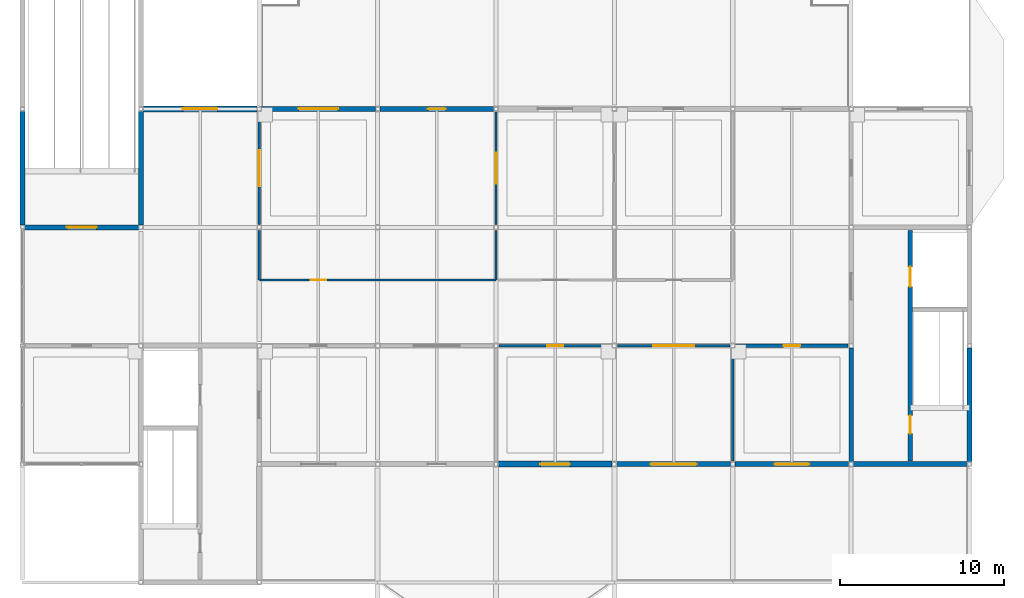
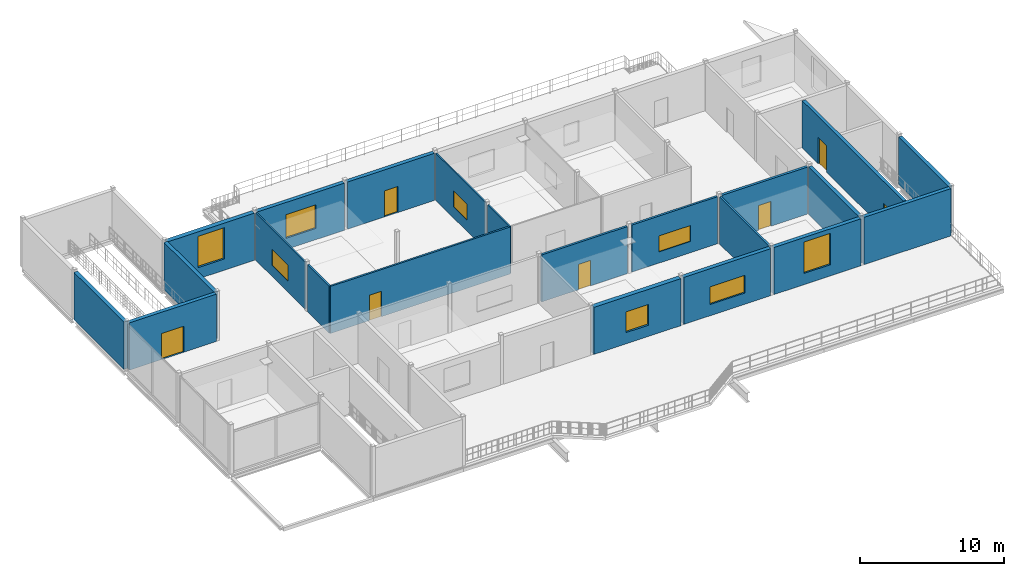
# One storey, part 12 of 18: 22 walls, 8 windows, 7 doors, 15 openings.
"""IFC4 building model written with IfcOpenShell, lengths in metres."""

from ifc_helpers import new_model, si_unit, direction, frame, frame_2d, origin, place, context, subcontext, project, spatial, rectangle, extrude, material, layer, layer_set, type_object, element, fill, save


model = new_model("IFC4")

# Units and contexts
model_context = context("Model", 3, precision=1e-05, world=origin(), true_north=direction((0.0, 1.0)))
body_context = subcontext(model_context, "Body", "Model", "MODEL_VIEW")
ifc_project = project(units=[si_unit("LENGTHUNIT", "METRE"), si_unit("AREAUNIT", "SQUARE_METRE"), si_unit("VOLUMEUNIT", "CUBIC_METRE"), si_unit("PLANEANGLEUNIT", "RADIAN"), si_unit("MASSUNIT", "GRAM", prefix="KILO")], contexts=[model_context])

# Site, building, storey
site_placement = place(None, origin())
site = spatial("IfcSite", under=ifc_project, at=site_placement, CompositionType="ELEMENT")
building_placement = place(site_placement, origin())
building = spatial("IfcBuilding", under=site, at=building_placement, Name="Vesperath Aquatics Centre", CompositionType="ELEMENT")
storey_placement = place(building_placement, frame((0.0, 0.0, 23.39990234375)))
storey = spatial("IfcBuildingStorey", under=building, at=storey_placement, Name="L05", CompositionType="ELEMENT", Elevation=23.39990234375)

# Wall, opening, window
ifc_material_1 = material(Name="Glazed majolica and brick insulated cavity wall", Category="masonry")
ifc_layer_1 = layer(ifc_material_1, 0.360107421875)
ifc_layer_set_1 = layer_set([ifc_layer_1], Name="Glazed majolica and brick insulated cavity wall")
wall_type_1 = type_object("IfcWallType", Name="WL-EW03", PredefinedType="SOLIDWALL", material=ifc_layer_set_1)
wall_1_placement = place(storey_placement, frame((144.1298828125, 7.199951171875, 0.0), z_axis=(0.0, 0.0, 1.0), x_axis=(1.0, 0.0, 0.0)))
wall_1 = element("IfcWall", 1, at=wall_1_placement, inside=storey, type_object=wall_type_1, Name="Exterior Wall EW03 L05_S_20_01", PredefinedType="SOLIDWALL", context=body_context, shape_type="SweptSolid", body=[
    extrude(rectangle(XDim=6.940185546875, YDim=0.360107421875, at=frame_2d((3.47021484375, 0.0))), origin(), (0.0, 0.0, 1.0), 3.97998046875),
])
opening_1_placement = place(wall_1_placement, frame((2.570068359375, 0.0, 0.949951171875)))
opening_1 = element("IfcOpeningElement", 2, at=opening_1_placement, cuts=wall_1, Name="Opening W12", PredefinedType="OPENING", context=body_context, shape_type="SweptSolid", body=[
    extrude(rectangle(XDim=1.800048828125, YDim=1.75, at=frame_2d((0.89990234375, 0.875))), frame((0.0, 0.19482421875, 0.0), z_axis=(0.0, -1.0, 0.0), x_axis=(1.0, 0.0, 0.0)), (0.0, 0.0, 1.0), 0.389892578125),
])
ifc_material_2 = material(Name="Thermally broken aluminium triple-glazed window", Category="aluminium")
window_type_1 = type_object("IfcWindowType", Name="WN-W12", PartitioningType="SINGLE_PANEL", PredefinedType="WINDOW", material=ifc_material_2)
window_1_placement = place(opening_1_placement, origin())
window_1 = element("IfcWindow", 3, at=window_1_placement, inside=storey, type_object=window_type_1, Name="Deep-Reveal Casement Window W12 L05_S_20_01", OverallHeight=1.75, OverallWidth=1.800048828125, PartitioningType="SINGLE_PANEL", PredefinedType="WINDOW", context=body_context, shape_type="SweptSolid", body=[
    extrude(rectangle(XDim=1.800048828125, YDim=1.75, at=frame_2d((0.89990234375, 0.875))), frame((0.0, 0.030029296875, 0.0), z_axis=(0.0, -1.0, 0.0), x_axis=(1.0, 0.0, 0.0)), (0.0, 0.0, 1.0), 0.06005859375),
])
fill(opening_1, window_1)

wall_2_placement = place(storey_placement, frame((122.530029296875, 28.800048828125, 0.0), z_axis=(0.0, 0.0, 1.0), x_axis=(1.0, 0.0, 0.0)))
wall_2 = element("IfcWall", 4, at=wall_2_placement, inside=storey, type_object=wall_type_1, Name="Exterior Wall EW03 L05_N_17_04", PredefinedType="SOLIDWALL", context=body_context, shape_type="SweptSolid", body=[
    extrude(rectangle(XDim=6.93994140625, YDim=0.360107421875, at=frame_2d((3.469970703125, 0.0))), origin(), (0.0, 0.0, 1.0), 3.97998046875),
])
opening_2_placement = place(wall_2_placement, frame((2.419921875, 0.0, 0.949951171875)))
opening_2 = element("IfcOpeningElement", 5, at=opening_2_placement, cuts=wall_2, Name="Opening W02", PredefinedType="OPENING", context=body_context, shape_type="SweptSolid", body=[
    extrude(rectangle(XDim=2.10009765625, YDim=2.64990234375, at=frame_2d((1.050048828125, 1.324951171875))), frame((0.0, 0.19482421875, 0.0), z_axis=(0.0, -1.0, 0.0), x_axis=(1.0, 0.0, 0.0)), (0.0, 0.0, 1.0), 0.389892578125),
])
window_type_2 = type_object("IfcWindowType", Name="WN-W02", PartitioningType="SINGLE_PANEL", PredefinedType="WINDOW", material=ifc_material_2)
window_2_placement = place(opening_2_placement, origin())
window_2 = element("IfcWindow", 6, at=window_2_placement, inside=storey, type_object=window_type_2, Name="Deep-Reveal Casement Window W02 L05_N_17_04", OverallHeight=2.64990234375, OverallWidth=2.10009765625, PartitioningType="SINGLE_PANEL", PredefinedType="WINDOW", context=body_context, shape_type="SweptSolid", body=[
    extrude(rectangle(XDim=2.10009765625, YDim=2.64990234375, at=frame_2d((1.050048828125, 1.324951171875))), frame((0.0, 0.030029296875, 0.0), z_axis=(0.0, -1.0, 0.0), x_axis=(1.0, 0.0, 0.0)), (0.0, 0.0, 1.0), 0.06005859375),
])
fill(opening_2, window_2)

ifc_material_3 = material(Name="Terrace pavilion insulated masonry wall", Category="masonry")
ifc_layer_2 = layer(ifc_material_3, 0.31005859375)
ifc_layer_set_2 = layer_set([ifc_layer_2], Name="Terrace pavilion insulated masonry wall")
wall_type_2 = type_object("IfcWallType", Name="WL-EW05", PredefinedType="SOLIDWALL", material=ifc_layer_set_2)
wall_3_placement = place(storey_placement, frame((151.330078125, 7.199951171875, 0.0), z_axis=(0.0, 0.0, 1.0), x_axis=(1.0, 0.0, 0.0)))
wall_3 = element("IfcWall", 7, at=wall_3_placement, inside=storey, type_object=wall_type_2, Name="Exterior Wall EW05 L05_S_21_01", PredefinedType="SOLIDWALL", context=body_context, shape_type="SweptSolid", body=[
    extrude(rectangle(XDim=6.93994140625, YDim=0.31005859375, at=frame_2d((3.469970703125, 0.0))), origin(), (0.0, 0.0, 1.0), 3.97998046875),
])
opening_3_placement = place(wall_3_placement, frame((2.070068359375, 0.0, 0.949951171875)))
opening_3 = element("IfcOpeningElement", 8, at=opening_3_placement, cuts=wall_3, Name="Opening W15", PredefinedType="OPENING", context=body_context, shape_type="SweptSolid", body=[
    extrude(rectangle(XDim=2.800048828125, YDim=1.5, at=frame_2d((1.39990234375, 0.75))), frame((0.0, 0.169921875, 0.0), z_axis=(0.0, -1.0, 0.0), x_axis=(1.0, 0.0, 0.0)), (0.0, 0.0, 1.0), 0.33984375),
])
window_type_3 = type_object("IfcWindowType", Name="WN-W15", PartitioningType="SINGLE_PANEL", PredefinedType="WINDOW", material=ifc_material_2)
window_3_placement = place(opening_3_placement, origin())
window_3 = element("IfcWindow", 9, at=window_3_placement, inside=storey, type_object=window_type_3, Name="Deep-Reveal Casement Window W15 L05_S_21_01", OverallHeight=1.5, OverallWidth=2.800048828125, PartitioningType="SINGLE_PANEL", PredefinedType="WINDOW", context=body_context, shape_type="SweptSolid", body=[
    extrude(rectangle(XDim=2.800048828125, YDim=1.5, at=frame_2d((1.39990234375, 0.75))), frame((0.0, 0.030029296875, 0.0), z_axis=(0.0, -1.0, 0.0), x_axis=(1.0, 0.0, 0.0)), (0.0, 0.0, 1.0), 0.06005859375),
])
fill(opening_3, window_3)

wall_4_placement = place(storey_placement, frame((158.530029296875, 7.199951171875, 0.0), z_axis=(0.0, 0.0, 1.0), x_axis=(1.0, 0.0, 0.0)))
wall_4 = element("IfcWall", 10, at=wall_4_placement, inside=storey, type_object=wall_type_2, Name="Exterior Wall EW05 L05_S_22_01", PredefinedType="SOLIDWALL", context=body_context, shape_type="SweptSolid", body=[
    extrude(rectangle(XDim=6.93994140625, YDim=0.31005859375, at=frame_2d((3.469970703125, 0.0))), origin(), (0.0, 0.0, 1.0), 3.97998046875),
])
opening_4_placement = place(wall_4_placement, frame((2.419921875, 0.0, 0.949951171875)))
opening_4 = element("IfcOpeningElement", 11, at=opening_4_placement, cuts=wall_4, Name="Opening W02", PredefinedType="OPENING", context=body_context, shape_type="SweptSolid", body=[
    extrude(rectangle(XDim=2.10009765625, YDim=2.64990234375, at=frame_2d((1.050048828125, 1.324951171875))), frame((0.0, 0.169921875, 0.0), z_axis=(0.0, -1.0, 0.0), x_axis=(1.0, 0.0, 0.0)), (0.0, 0.0, 1.0), 0.33984375),
])
window_4_placement = place(opening_4_placement, origin())
window_4 = element("IfcWindow", 12, at=window_4_placement, inside=storey, type_object=window_type_2, Name="Deep-Reveal Casement Window W02 L05_S_22_01", OverallHeight=2.64990234375, OverallWidth=2.10009765625, PartitioningType="SINGLE_PANEL", PredefinedType="WINDOW", context=body_context, shape_type="SweptSolid", body=[
    extrude(rectangle(XDim=2.10009765625, YDim=2.64990234375, at=frame_2d((1.050048828125, 1.324951171875))), frame((0.0, 0.030029296875, 0.0), z_axis=(0.0, -1.0, 0.0), x_axis=(1.0, 0.0, 0.0)), (0.0, 0.0, 1.0), 0.06005859375),
])
fill(opening_4, window_4)

wall_5_placement = place(storey_placement, frame((129.72998046875, 28.800048828125, 0.0), z_axis=(0.0, 0.0, 1.0), x_axis=(1.0, 0.0, 0.0)))
wall_5 = element("IfcWall", 13, at=wall_5_placement, inside=storey, type_object=wall_type_2, Name="Exterior Wall EW05 L05_N_18_04", PredefinedType="SOLIDWALL", context=body_context, shape_type="SweptSolid", body=[
    extrude(rectangle(XDim=6.93994140625, YDim=0.31005859375, at=frame_2d((3.469970703125, 0.0))), origin(), (0.0, 0.0, 1.0), 3.97998046875),
])
opening_5_placement = place(wall_5_placement, frame((2.27001953125, 0.0, 0.949951171875)))
opening_5 = element("IfcOpeningElement", 14, at=opening_5_placement, cuts=wall_5, Name="Opening W05", PredefinedType="OPENING", context=body_context, shape_type="SweptSolid", body=[
    extrude(rectangle(XDim=2.39990234375, YDim=2.0, at=frame_2d((1.199951171875, 1.0))), frame((0.0, 0.169921875, 0.0), z_axis=(0.0, -1.0, 0.0), x_axis=(1.0, 0.0, 0.0)), (0.0, 0.0, 1.0), 0.33984375),
])
window_type_4 = type_object("IfcWindowType", Name="WN-W05", PartitioningType="SINGLE_PANEL", PredefinedType="WINDOW", material=ifc_material_2)
window_5_placement = place(opening_5_placement, origin())
window_5 = element("IfcWindow", 15, at=window_5_placement, inside=storey, type_object=window_type_4, Name="Deep-Reveal Casement Window W05 L05_N_18_04", OverallHeight=2.0, OverallWidth=2.39990234375, PartitioningType="SINGLE_PANEL", PredefinedType="WINDOW", context=body_context, shape_type="SweptSolid", body=[
    extrude(rectangle(XDim=2.39990234375, YDim=2.0, at=frame_2d((1.199951171875, 1.0))), frame((0.0, 0.030029296875, 0.0), z_axis=(0.0, -1.0, 0.0), x_axis=(1.0, 0.0, 0.0)), (0.0, 0.0, 1.0), 0.06005859375),
])
fill(opening_5, window_5)

# Wall, opening, door
wall_6_placement = place(storey_placement, frame((136.929931640625, 28.800048828125, 0.0), z_axis=(0.0, 0.0, 1.0), x_axis=(1.0, 0.0, 0.0)))
wall_6 = element("IfcWall", 16, at=wall_6_placement, inside=storey, type_object=wall_type_2, Name="Exterior Wall EW05 L05_N_19_04", PredefinedType="SOLIDWALL", context=body_context, shape_type="SweptSolid", body=[
    extrude(rectangle(XDim=6.940185546875, YDim=0.31005859375, at=frame_2d((3.47021484375, 0.0))), origin(), (0.0, 0.0, 1.0), 3.97998046875),
])
opening_6_placement = place(wall_6_placement, frame((2.919921875, 0.0, 0.0)))
opening_6 = element("IfcOpeningElement", 17, at=opening_6_placement, cuts=wall_6, Name="Opening TRD2", PredefinedType="OPENING", context=body_context, shape_type="SweptSolid", body=[
    extrude(rectangle(XDim=1.10009765625, YDim=2.199951171875, at=frame_2d((0.550048828125, 1.10009765625))), frame((0.0, 0.169921875, 0.0), z_axis=(0.0, -1.0, 0.0), x_axis=(1.0, 0.0, 0.0)), (0.0, 0.0, 1.0), 0.33984375),
])
ifc_material_4 = material(Name="Thermally broken bronze-anodised glazed aluminium door", Category="aluminium")
door_type_1 = type_object("IfcDoorType", Name="DR-TR02", OperationType="NOTDEFINED", PredefinedType="DOOR", material=ifc_material_4)
door_1_placement = place(opening_6_placement, origin())
door_1 = element("IfcDoor", 18, at=door_1_placement, inside=storey, type_object=door_type_1, Name="Roof Terrace Access Door TRD2 L05_N_19_04", OperationType="SINGLE_SWING_LEFT", OverallHeight=2.199951171875, OverallWidth=1.10009765625, PredefinedType="DOOR", context=body_context, shape_type="SweptSolid", body=[
    extrude(rectangle(XDim=1.10009765625, YDim=2.199951171875, at=frame_2d((0.550048828125, 1.10009765625))), frame((0.0, 0.02490234375, 0.0), z_axis=(0.0, -1.0, 0.0), x_axis=(1.0, 0.0, 0.0)), (0.0, 0.0, 1.0), 0.050048828125),
])
fill(opening_6, door_1)

ifc_material_5 = material(Name="Wet-village masonry block wall", Category="masonry")
ifc_layer_3 = layer(ifc_material_5, 0.199951171875)
ifc_layer_set_3 = layer_set([ifc_layer_3], Name="Wet-village masonry block wall")
wall_type_3 = type_object("IfcWallType", Name="WL-FW03", PredefinedType="SOLIDWALL", material=ifc_layer_set_3)
wall_7_placement = place(storey_placement, frame((158.580078125, 14.39990234375, 0.0), z_axis=(0.0, 0.0, 1.0), x_axis=(1.0, 0.0, 0.0)))
wall_7 = element("IfcWall", 19, at=wall_7_placement, inside=storey, type_object=wall_type_3, Name="Interior Partition FW03 L05_AWC-N1", PredefinedType="SOLIDWALL", context=body_context, shape_type="SweptSolid", body=[
    extrude(rectangle(XDim=6.83984375, YDim=0.199951171875, at=frame_2d((3.419921875, 0.0))), origin(), (0.0, 0.0, 1.0), 3.97998046875),
])
opening_7_placement = place(wall_7_placement, frame((2.919921875, 0.0, 0.0)))
opening_7 = element("IfcOpeningElement", 20, at=opening_7_placement, cuts=wall_7, Name="Opening D06", PredefinedType="OPENING", context=body_context, shape_type="SweptSolid", body=[
    extrude(rectangle(XDim=1.0, YDim=2.10009765625, at=frame_2d((0.5, 1.050048828125))), frame((0.0, 0.11474609375, 0.0), z_axis=(0.0, -1.0, 0.0), x_axis=(1.0, 0.0, 0.0)), (0.0, 0.0, 1.0), 0.229736328125),
])
ifc_material_6 = material(Name="Moisture-resistant HPL accessible toilet door", Category="wood")
door_type_2 = type_object("IfcDoorType", Name="DR-WC01", OperationType="NOTDEFINED", PredefinedType="DOOR", material=ifc_material_6)
door_2_placement = place(opening_7_placement, frame((1.0, 0.0, 0.0), z_axis=(0.0, 0.0, 1.0), x_axis=(-1.0, 0.0, 0.0)))
door_2 = element("IfcDoor", 21, at=door_2_placement, inside=storey, type_object=door_type_2, Name="Accessible WC L05 Door D06", OperationType="SINGLE_SWING_LEFT", OverallHeight=2.10009765625, OverallWidth=1.0, PredefinedType="DOOR", context=body_context, shape_type="SweptSolid", body=[
    extrude(rectangle(XDim=1.0, YDim=2.10009765625, at=frame_2d((0.5, 1.050048828125))), frame((0.0, 0.02490234375, 0.0), z_axis=(0.0, -1.0, 0.0), x_axis=(1.0, 0.0, 0.0)), (0.0, 0.0, 1.0), 0.050048828125),
])
fill(opening_7, door_2)

ifc_material_7 = material(Name="Moisture-resistant tiled wet partition", Category="gypsum")
ifc_layer_4 = layer(ifc_material_7, 0.175048828125)
ifc_layer_set_4 = layer_set([ifc_layer_4], Name="Moisture-resistant tiled wet partition")
wall_type_4 = type_object("IfcWallType", Name="WL-IW02", PredefinedType="PARTITIONING", material=ifc_layer_set_4)
wall_8_placement = place(storey_placement, frame((144.179931640625, 14.39990234375, 0.0), z_axis=(0.0, 0.0, 1.0), x_axis=(1.0, 0.0, 0.0)))
wall_8 = element("IfcWall", 22, at=wall_8_placement, inside=storey, type_object=wall_type_4, Name="Interior Partition IW02 L05_DOPING-N1", PredefinedType="PARTITIONING", context=body_context, shape_type="SweptSolid", body=[
    extrude(rectangle(XDim=6.840087890625, YDim=0.175048828125, at=frame_2d((3.419921875, 0.0))), origin(), (0.0, 0.0, 1.0), 3.97998046875),
])
opening_8_placement = place(wall_8_placement, frame((2.93994140625, 0.0, 0.0)))
opening_8 = element("IfcOpeningElement", 23, at=opening_8_placement, cuts=wall_8, Name="Opening D28", PredefinedType="OPENING", context=body_context, shape_type="SweptSolid", body=[
    extrude(rectangle(XDim=0.9599609375, YDim=2.14990234375, at=frame_2d((0.47998046875, 1.074951171875))), frame((0.0, 0.1025390625, 0.0), z_axis=(0.0, -1.0, 0.0), x_axis=(1.0, 0.0, 0.0)), (0.0, 0.0, 1.0), 0.204833984375),
])
ifc_material_8 = material(Name="Dietitian consultation oak door", Category="wood")
door_type_3 = type_object("IfcDoorType", Name="DR-RM20", OperationType="NOTDEFINED", PredefinedType="DOOR", material=ifc_material_8)
door_3_placement = place(opening_8_placement, frame((0.9599609375, 0.0, 0.0), z_axis=(0.0, 0.0, 1.0), x_axis=(-1.0, 0.0, 0.0)))
door_3 = element("IfcDoor", 24, at=door_3_placement, inside=storey, type_object=door_type_3, Name="World Aquatics Doping Control Suite Door D28", OperationType="SINGLE_SWING_RIGHT", OverallHeight=2.14990234375, OverallWidth=0.9599609375, PredefinedType="DOOR", context=body_context, shape_type="SweptSolid", body=[
    extrude(rectangle(XDim=0.9599609375, YDim=2.14990234375, at=frame_2d((0.47998046875, 1.074951171875))), frame((0.0, 0.02490234375, 0.0), z_axis=(0.0, -1.0, 0.0), x_axis=(1.0, 0.0, 0.0)), (0.0, 0.0, 1.0), 0.050048828125),
])
fill(opening_8, door_3)

# Wall, opening, window
ifc_material_9 = material(Name="Corridor fire-rated gypsum partition", Category="gypsum")
ifc_layer_5 = layer(ifc_material_9, 0.16796875)
ifc_layer_set_5 = layer_set([ifc_layer_5], Name="Corridor fire-rated gypsum partition")
wall_type_5 = type_object("IfcWallType", Name="WL-IW03", PredefinedType="PARTITIONING", material=ifc_layer_set_5)
wall_9_placement = place(storey_placement, frame((151.3798828125, 14.39990234375, 0.0), z_axis=(0.0, 0.0, 1.0), x_axis=(1.0, 0.0, 0.0)))
wall_9 = element("IfcWall", 25, at=wall_9_placement, inside=storey, type_object=wall_type_5, Name="Interior Partition IW03 L05_DOPING-N2", PredefinedType="PARTITIONING", context=body_context, shape_type="SweptSolid", body=[
    extrude(rectangle(XDim=6.840087890625, YDim=0.16796875, at=frame_2d((3.419921875, 0.0))), origin(), (0.0, 0.0, 1.0), 3.97998046875),
])
opening_9_placement = place(wall_9_placement, frame((2.169921875, 0.0, 0.949951171875)))
opening_9 = element("IfcOpeningElement", 26, at=opening_9_placement, cuts=wall_9, Name="Opening VW06", PredefinedType="OPENING", context=body_context, shape_type="SweptSolid", body=[
    extrude(rectangle(XDim=2.5, YDim=1.35009765625, at=frame_2d((1.25, 0.675048828125))), frame((0.0, 0.098876953125, 0.0), z_axis=(0.0, -1.0, 0.0), x_axis=(1.0, 0.0, 0.0)), (0.0, 0.0, 1.0), 0.19775390625),
])
ifc_material_10 = material(Name="Acoustic laminated interior viewing glazing", Category="glass")
window_type_5 = type_object("IfcWindowType", Name="WN-IW06", PartitioningType="SINGLE_PANEL", PredefinedType="WINDOW", material=ifc_material_10)
window_6_placement = place(opening_9_placement, origin())
window_6 = element("IfcWindow", 27, at=window_6_placement, inside=storey, type_object=window_type_5, Name="Interior Viewing Window VW06 L05_DOPING", OverallHeight=1.35009765625, OverallWidth=2.5, PartitioningType="SINGLE_PANEL", PredefinedType="WINDOW", context=body_context, shape_type="SweptSolid", body=[
    extrude(rectangle(XDim=2.5, YDim=1.35009765625, at=frame_2d((1.25, 0.675048828125))), frame((0.0, 0.030029296875, 0.0), z_axis=(0.0, -1.0, 0.0), x_axis=(1.0, 0.0, 0.0)), (0.0, 0.0, 1.0), 0.06005859375),
])
fill(opening_9, window_6)

# Wall
ifc_material_11 = material(Name="Clinic acoustic partition", Category="gypsum")
ifc_layer_6 = layer(ifc_material_11, 0.159912109375)
ifc_layer_set_6 = layer_set([ifc_layer_6], Name="Clinic acoustic partition")
wall_type_6 = type_object("IfcWallType", Name="WL-IW04", PredefinedType="PARTITIONING", material=ifc_layer_set_6)
wall_10_placement = place(storey_placement, frame((158.39990234375, 7.3798828125, 0.0), z_axis=(0.0, 0.0, 1.0), x_axis=(0.0, 1.0, 0.0)))
element("IfcWall", 28, at=wall_10_placement, inside=storey, type_object=wall_type_6, Name="Interior Partition IW04 L05_DOPING-E1", PredefinedType="PARTITIONING", context=body_context, shape_type="SweptSolid", body=[
    extrude(rectangle(XDim=6.840087890625, YDim=0.159912109375, at=frame_2d((3.419921875, 0.0))), origin(), (0.0, 0.0, 1.0), 3.97998046875),
])

# Wall, opening, door
ifc_material_12 = material(Name="Classroom acoustic partition", Category="gypsum")
ifc_layer_7 = layer(ifc_material_12, 0.14501953125)
ifc_layer_set_7 = layer_set([ifc_layer_7], Name="Classroom acoustic partition")
wall_type_7 = type_object("IfcWallType", Name="WL-IW06", PredefinedType="PARTITIONING", material=ifc_layer_set_7)
wall_11_placement = place(storey_placement, frame((129.60009765625, 18.39990234375, 0.0), z_axis=(0.0, 0.0, 1.0), x_axis=(1.0, 0.0, 0.0)))
wall_11 = element("IfcWall", 29, at=wall_11_placement, inside=storey, type_object=wall_type_7, Name="Interior Partition IW06 L05_COACHES-S1", PredefinedType="PARTITIONING", context=body_context, shape_type="SweptSolid", body=[
    extrude(rectangle(XDim=14.39990234375, YDim=0.14501953125, at=frame_2d((7.199951171875, 0.0))), origin(), (0.0, 0.0, 1.0), 3.97998046875),
])
opening_10_placement = place(wall_11_placement, frame((3.1298828125, 0.0, 0.0)))
opening_10 = element("IfcOpeningElement", 30, at=opening_10_placement, cuts=wall_11, Name="Opening D30", PredefinedType="OPENING", context=body_context, shape_type="SweptSolid", body=[
    extrude(rectangle(XDim=0.93994140625, YDim=2.14990234375, at=frame_2d((0.469970703125, 1.074951171875))), frame((0.0, 0.08740234375, 0.0), z_axis=(0.0, -1.0, 0.0), x_axis=(1.0, 0.0, 0.0)), (0.0, 0.0, 1.0), 0.1748046875),
])
ifc_material_13 = material(Name="Administration office oak door", Category="wood")
door_type_4 = type_object("IfcDoorType", Name="DR-RM22", OperationType="NOTDEFINED", PredefinedType="DOOR", material=ifc_material_13)
door_4_placement = place(opening_10_placement, origin())
door_4 = element("IfcDoor", 31, at=door_4_placement, inside=storey, type_object=door_type_4, Name="National Team Coaches Briefing Room Door D30", OperationType="SINGLE_SWING_RIGHT", OverallHeight=2.14990234375, OverallWidth=0.93994140625, PredefinedType="DOOR", context=body_context, shape_type="SweptSolid", body=[
    extrude(rectangle(XDim=0.93994140625, YDim=2.14990234375, at=frame_2d((0.469970703125, 1.074951171875))), frame((0.0, 0.02490234375, 0.0), z_axis=(0.0, -1.0, 0.0), x_axis=(1.0, 0.0, 0.0)), (0.0, 0.0, 1.0), 0.050048828125),
])
fill(opening_10, door_4)

# Wall
ifc_material_14 = material(Name="Changing cubicle masonry-backed partition", Category="masonry")
ifc_layer_8 = layer(ifc_material_14, 0.137939453125)
ifc_layer_set_8 = layer_set([ifc_layer_8], Name="Changing cubicle masonry-backed partition")
wall_type_8 = type_object("IfcWallType", Name="WL-IW07", PredefinedType="PARTITIONING", material=ifc_layer_set_8)
wall_12_placement = place(storey_placement, frame((129.60009765625, 18.39990234375, 0.0), z_axis=(0.0, 0.0, 1.0), x_axis=(0.0, 1.0, 0.0)))
element("IfcWall", 32, at=wall_12_placement, inside=storey, type_object=wall_type_8, Name="Interior Partition IW07 L05_COACHES-W1", PredefinedType="PARTITIONING", context=body_context, shape_type="SweptSolid", body=[
    extrude(rectangle(XDim=3.02001953125, YDim=0.137939453125, at=frame_2d((1.510009765625, 0.0))), origin(), (0.0, 0.0, 1.0), 3.97998046875),
])

# Wall, opening, window
ifc_material_15 = material(Name="Sanitary plumbing wall", Category="gypsum")
ifc_layer_9 = layer(ifc_material_15, 0.1298828125)
ifc_layer_set_9 = layer_set([ifc_layer_9], Name="Sanitary plumbing wall")
wall_type_9 = type_object("IfcWallType", Name="WL-IW08", PredefinedType="PARTITIONING", material=ifc_layer_set_9)
wall_13_placement = place(storey_placement, frame((129.60009765625, 21.780029296875, 0.0), z_axis=(0.0, 0.0, 1.0), x_axis=(0.0, 1.0, 0.0)))
wall_13 = element("IfcWall", 33, at=wall_13_placement, inside=storey, type_object=wall_type_9, Name="Interior Partition IW08 L05_COACHES-W2", PredefinedType="PARTITIONING", context=body_context, shape_type="SweptSolid", body=[
    extrude(rectangle(XDim=6.840087890625, YDim=0.1298828125, at=frame_2d((3.419921875, 0.0))), origin(), (0.0, 0.0, 1.0), 3.97998046875),
])
opening_11_placement = place(wall_13_placement, frame((2.320068359375, 0.0, 0.949951171875)))
opening_11 = element("IfcOpeningElement", 34, at=opening_11_placement, cuts=wall_13, Name="Opening VW07", PredefinedType="OPENING", context=body_context, shape_type="SweptSolid", body=[
    extrude(rectangle(XDim=2.199951171875, YDim=1.35009765625, at=frame_2d((1.10009765625, 0.675048828125))), frame((0.0, 0.079833984375, 0.0), z_axis=(0.0, -1.0, 0.0), x_axis=(1.0, 0.0, 0.0)), (0.0, 0.0, 1.0), 0.15966796875),
])
window_type_6 = type_object("IfcWindowType", Name="WN-IW07", PartitioningType="SINGLE_PANEL", PredefinedType="WINDOW", material=ifc_material_10)
window_7_placement = place(opening_11_placement, origin())
window_7 = element("IfcWindow", 35, at=window_7_placement, inside=storey, type_object=window_type_6, Name="Interior Viewing Window VW07 L05_COACHES", OverallHeight=1.35009765625, OverallWidth=2.199951171875, PartitioningType="SINGLE_PANEL", PredefinedType="WINDOW", context=body_context, shape_type="SweptSolid", body=[
    extrude(rectangle(XDim=2.199951171875, YDim=1.35009765625, at=frame_2d((1.10009765625, 0.675048828125))), frame((0.0, 0.030029296875, 0.0), z_axis=(0.0, -1.0, 0.0), x_axis=(1.0, 0.0, 0.0)), (0.0, 0.0, 1.0), 0.06005859375),
])
fill(opening_11, window_7)

# Wall
ifc_material_16 = material(Name="Office dry-lined partition", Category="gypsum")
ifc_layer_10 = layer(ifc_material_16, 0.1220703125)
ifc_layer_set_10 = layer_set([ifc_layer_10], Name="Office dry-lined partition")
wall_type_10 = type_object("IfcWallType", Name="WL-IW09", PredefinedType="PARTITIONING", material=ifc_layer_set_10)
wall_14_placement = place(storey_placement, frame((144.0, 18.39990234375, 0.0), z_axis=(0.0, 0.0, 1.0), x_axis=(0.0, 1.0, 0.0)))
element("IfcWall", 36, at=wall_14_placement, inside=storey, type_object=wall_type_10, Name="Interior Partition IW09 L05_COACHES-E1", PredefinedType="PARTITIONING", context=body_context, shape_type="SweptSolid", body=[
    extrude(rectangle(XDim=3.02001953125, YDim=0.1220703125, at=frame_2d((1.510009765625, 0.0))), origin(), (0.0, 0.0, 1.0), 3.97998046875),
])

# Wall, opening, window
ifc_material_17 = material(Name="Store dry-lined partition", Category="gypsum")
ifc_layer_11 = layer(ifc_material_17, 0.114990234375)
ifc_layer_set_11 = layer_set([ifc_layer_11], Name="Store dry-lined partition")
wall_type_11 = type_object("IfcWallType", Name="WL-IW10", PredefinedType="PARTITIONING", material=ifc_layer_set_11)
wall_15_placement = place(storey_placement, frame((144.0, 21.780029296875, 0.0), z_axis=(0.0, 0.0, 1.0), x_axis=(0.0, 1.0, 0.0)))
wall_15 = element("IfcWall", 37, at=wall_15_placement, inside=storey, type_object=wall_type_11, Name="Interior Partition IW10 L05_COACHES-E2", PredefinedType="PARTITIONING", context=body_context, shape_type="SweptSolid", body=[
    extrude(rectangle(XDim=6.840087890625, YDim=0.114990234375, at=frame_2d((3.419921875, 0.0))), origin(), (0.0, 0.0, 1.0), 3.97998046875),
])
opening_12_placement = place(wall_15_placement, frame((2.469970703125, 0.0, 0.949951171875)))
opening_12 = element("IfcOpeningElement", 38, at=opening_12_placement, cuts=wall_15, Name="Opening VW08", PredefinedType="OPENING", context=body_context, shape_type="SweptSolid", body=[
    extrude(rectangle(XDim=1.89990234375, YDim=1.35009765625, at=frame_2d((0.949951171875, 0.675048828125))), frame((0.0, 0.072265625, 0.0), z_axis=(0.0, -1.0, 0.0), x_axis=(1.0, 0.0, 0.0)), (0.0, 0.0, 1.0), 0.144775390625),
])
window_type_7 = type_object("IfcWindowType", Name="WN-IW08", PartitioningType="SINGLE_PANEL", PredefinedType="WINDOW", material=ifc_material_10)
window_8_placement = place(opening_12_placement, origin())
window_8 = element("IfcWindow", 39, at=window_8_placement, inside=storey, type_object=window_type_7, Name="Interior Viewing Window VW08 L05_COACHES", OverallHeight=1.35009765625, OverallWidth=1.89990234375, PartitioningType="SINGLE_PANEL", PredefinedType="WINDOW", context=body_context, shape_type="SweptSolid", body=[
    extrude(rectangle(XDim=1.89990234375, YDim=1.35009765625, at=frame_2d((0.949951171875, 0.675048828125))), frame((0.0, 0.030029296875, 0.0), z_axis=(0.0, -1.0, 0.0), x_axis=(1.0, 0.0, 0.0)), (0.0, 0.0, 1.0), 0.06005859375),
])
fill(opening_12, window_8)

# Wall, opening, door
ifc_material_18 = material(Name="Concrete C40", Category="concrete")
ifc_layer_12 = layer(ifc_material_18, 0.300048828125)
ifc_layer_set_12 = layer_set([ifc_layer_12], Name="Concrete C40")
wall_type_12 = type_object("IfcWallType", Name="WL-SW01", PredefinedType="SHEAR", material=ifc_layer_set_12)
wall_16_placement = place(storey_placement, frame((115.330078125, 21.60009765625, 0.0), z_axis=(0.0, 0.0, 1.0), x_axis=(1.0, 0.0, 0.0)))
wall_16 = element("IfcWall", 40, at=wall_16_placement, inside=storey, type_object=wall_type_12, Name="Core C7 South Shear Wall SW01 L05", PredefinedType="SHEAR", context=body_context, shape_type="SweptSolid", body=[
    extrude(rectangle(XDim=6.93994140625, YDim=0.300048828125, at=frame_2d((3.469970703125, 0.0))), origin(), (0.0, 0.0, 1.0), 4.0),
])
opening_13_placement = place(wall_16_placement, frame((2.570068359375, 0.0, 0.0)))
opening_13 = element("IfcOpeningElement", 41, at=opening_13_placement, cuts=wall_16, Name="Opening D03", PredefinedType="OPENING", context=body_context, shape_type="SweptSolid", body=[
    extrude(rectangle(XDim=1.800048828125, YDim=2.199951171875, at=frame_2d((0.89990234375, 1.10009765625))), frame((0.0, 0.1650390625, 0.0), z_axis=(0.0, -1.0, 0.0), x_axis=(1.0, 0.0, 0.0)), (0.0, 0.0, 1.0), 0.329833984375),
])
ifc_material_19 = material(Name="Corridor smoke-control double fire door", Category="steel")
door_type_5 = type_object("IfcDoorType", Name="DR-FD03", OperationType="DOUBLE_SWING_LEFT", PredefinedType="DOOR", material=ifc_material_19)
door_5_placement = place(opening_13_placement, origin())
door_5 = element("IfcDoor", 42, at=door_5_placement, inside=storey, type_object=door_type_5, Name="Stair ST7 Fire Door D03 L05", OperationType="DOUBLE_SWING_LEFT", OverallHeight=2.199951171875, OverallWidth=1.800048828125, PredefinedType="DOOR", context=body_context, shape_type="SweptSolid", body=[
    extrude(rectangle(XDim=1.800048828125, YDim=2.199951171875, at=frame_2d((0.89990234375, 1.10009765625))), frame((0.0, 0.02490234375, 0.0), z_axis=(0.0, -1.0, 0.0), x_axis=(1.0, 0.0, 0.0)), (0.0, 0.0, 1.0), 0.050048828125),
])
fill(opening_13, door_5)

# Walls
wall_17_placement = place(storey_placement, frame((122.39990234375, 21.72998046875, 0.0), z_axis=(0.0, 0.0, 1.0), x_axis=(0.0, 1.0, 0.0)))
element("IfcWall", 43, at=wall_17_placement, inside=storey, type_object=wall_type_12, Name="Core C7 East-1 Shear Wall SW01 L05", PredefinedType="SHEAR", context=body_context, shape_type="SweptSolid", body=[
    extrude(rectangle(XDim=6.93994140625, YDim=0.300048828125, at=frame_2d((3.469970703125, 0.0))), origin(), (0.0, 0.0, 1.0), 4.0),
])
ifc_layer_13 = layer(ifc_material_18, 0.280029296875)
ifc_layer_set_13 = layer_set([ifc_layer_13], Name="Concrete C40")
wall_type_13 = type_object("IfcWallType", Name="WL-SW02", PredefinedType="SHEAR", material=ifc_layer_set_13)
wall_18_placement = place(storey_placement, frame((165.60009765625, 7.330078125, 0.0), z_axis=(0.0, 0.0, 1.0), x_axis=(0.0, 1.0, 0.0)))
element("IfcWall", 44, at=wall_18_placement, inside=storey, type_object=wall_type_13, Name="Core C6 West-1 Shear Wall SW02 L05", PredefinedType="SHEAR", context=body_context, shape_type="SweptSolid", body=[
    extrude(rectangle(XDim=6.93994140625, YDim=0.280029296875, at=frame_2d((3.469970703125, 0.0))), origin(), (0.0, 0.0, 1.0), 4.0),
])

# Wall, openings, doors
ifc_layer_14 = layer(ifc_material_18, 0.260009765625)
ifc_layer_set_14 = layer_set([ifc_layer_14], Name="Concrete C40")
wall_type_14 = type_object("IfcWallType", Name="WL-SW03", PredefinedType="SHEAR", material=ifc_layer_set_14)
wall_19_placement = place(storey_placement, frame((169.199951171875, 7.39990234375, 0.0), z_axis=(0.0, 0.0, 1.0), x_axis=(0.0, 1.0, 0.0)))
wall_19 = element("IfcWall", 45, at=wall_19_placement, inside=storey, type_object=wall_type_14, Name="Core C6 Spine Shear Wall SW03 L05", PredefinedType="SHEAR", context=body_context, shape_type="SweptSolid", body=[
    extrude(rectangle(XDim=14.0, YDim=0.260009765625, at=frame_2d((7.0, 0.0))), origin(), (0.0, 0.0, 1.0), 4.0),
])
opening_14_placement = place(wall_19_placement, frame((1.64990234375, 0.0, 0.0)))
opening_14 = element("IfcOpeningElement", 46, at=opening_14_placement, cuts=wall_19, Name="Opening D01", PredefinedType="OPENING", context=body_context, shape_type="SweptSolid", body=[
    extrude(rectangle(XDim=1.10009765625, YDim=2.14990234375, at=frame_2d((0.550048828125, 1.074951171875))), frame((0.0, 0.14501953125, 0.0), z_axis=(0.0, -1.0, 0.0), x_axis=(1.0, 0.0, 0.0)), (0.0, 0.0, 1.0), 0.289794921875),
])
opening_15_placement = place(wall_19_placement, frame((10.60009765625, 0.0, 0.0)))
opening_15 = element("IfcOpeningElement", 47, at=opening_15_placement, cuts=wall_19, Name="Opening LD03", PredefinedType="OPENING", context=body_context, shape_type="SweptSolid", body=[
    extrude(rectangle(XDim=1.199951171875, YDim=2.25, at=frame_2d((0.60009765625, 1.125))), frame((0.0, 0.14501953125, 0.0), z_axis=(0.0, -1.0, 0.0), x_axis=(1.0, 0.0, 0.0)), (0.0, 0.0, 1.0), 0.289794921875),
])
ifc_material_20 = material(Name="Steel-faced acoustic fire door", Category="steel")
door_type_6 = type_object("IfcDoorType", Name="DR-FD01", OperationType="NOTDEFINED", PredefinedType="DOOR", material=ifc_material_20)
door_6_placement = place(opening_14_placement, frame((1.10009765625, 0.0, 0.0), z_axis=(0.0, 0.0, 1.0), x_axis=(-1.0, 0.0, 0.0)))
door_6 = element("IfcDoor", 48, at=door_6_placement, inside=storey, type_object=door_type_6, Name="Stair ST6 Fire Door D01 L05", OperationType="SINGLE_SWING_LEFT", OverallHeight=2.14990234375, OverallWidth=1.10009765625, PredefinedType="DOOR", context=body_context, shape_type="SweptSolid", body=[
    extrude(rectangle(XDim=1.10009765625, YDim=2.14990234375, at=frame_2d((0.550048828125, 1.074951171875))), frame((0.0, 0.02490234375, 0.0), z_axis=(0.0, -1.0, 0.0), x_axis=(1.0, 0.0, 0.0)), (0.0, 0.0, 1.0), 0.050048828125),
])
fill(opening_14, door_6)
ifc_material_21 = material(Name="Firefighting stainless lift landing door", Category="steel")
door_type_7 = type_object("IfcDoorType", Name="DR-LD03", OperationType="SLIDING_TO_LEFT", PredefinedType="DOOR", material=ifc_material_21)
door_7_placement = place(opening_15_placement, origin())
door_7 = element("IfcDoor", 49, at=door_7_placement, inside=storey, type_object=door_type_7, Name="Lift LFT-FF2 Sliding Landing Door LD03 L05", OperationType="SLIDING_TO_LEFT", OverallHeight=2.25, OverallWidth=1.199951171875, PredefinedType="DOOR", context=body_context, shape_type="SweptSolid", body=[
    extrude(rectangle(XDim=1.199951171875, YDim=2.25, at=frame_2d((0.60009765625, 1.125))), frame((0.0, 0.02490234375, 0.0), z_axis=(0.0, -1.0, 0.0), x_axis=(1.0, 0.0, 0.0)), (0.0, 0.0, 1.0), 0.050048828125),
])
fill(opening_15, door_7)

# Walls
ifc_layer_15 = layer(ifc_material_18, 0.31005859375)
ifc_layer_set_15 = layer_set([ifc_layer_15], Name="Concrete C40")
wall_type_15 = type_object("IfcWallType", Name="WL-SW05", PredefinedType="SHEAR", material=ifc_layer_set_15)
wall_20_placement = place(storey_placement, frame((115.199951171875, 21.72998046875, 0.0), z_axis=(0.0, 0.0, 1.0), x_axis=(0.0, 1.0, 0.0)))
element("IfcWall", 50, at=wall_20_placement, inside=storey, type_object=wall_type_15, Name="Core C7 West-1 Shear Wall SW05 L05", PredefinedType="SHEAR", context=body_context, shape_type="SweptSolid", body=[
    extrude(rectangle(XDim=6.93994140625, YDim=0.31005859375, at=frame_2d((3.469970703125, 0.0))), origin(), (0.0, 0.0, 1.0), 4.0),
])
ifc_layer_16 = layer(ifc_material_18, 0.2900390625)
ifc_layer_set_16 = layer_set([ifc_layer_16], Name="Concrete C40")
wall_type_16 = type_object("IfcWallType", Name="WL-SW06", PredefinedType="SHEAR", material=ifc_layer_set_16)
for number, where, z_axis, x_axis, name in (
    (51, (165.72998046875, 7.199951171875, 0.0), (0.0, 0.0, 1.0), (1.0, 0.0, 0.0), "Core C6 South Shear Wall SW06 L05"),
    (52, (172.800048828125, 7.330078125, 0.0), (0.0, 0.0, 1.0), (0.0, 1.0, 0.0), "Core C6 East-1 Shear Wall SW06 L05"),
):
    element("IfcWall", number, at=place(storey_placement, frame(where, z_axis=z_axis, x_axis=x_axis)), inside=storey, type_object=wall_type_16, Name=name, PredefinedType="SHEAR", context=body_context, shape_type="SweptSolid", body=[
        extrude(rectangle(XDim=6.93994140625, YDim=0.2900390625, at=frame_2d((3.469970703125, 0.0))), origin(), (0.0, 0.0, 1.0), 4.0),
    ])

save(model, "model.ifc")
